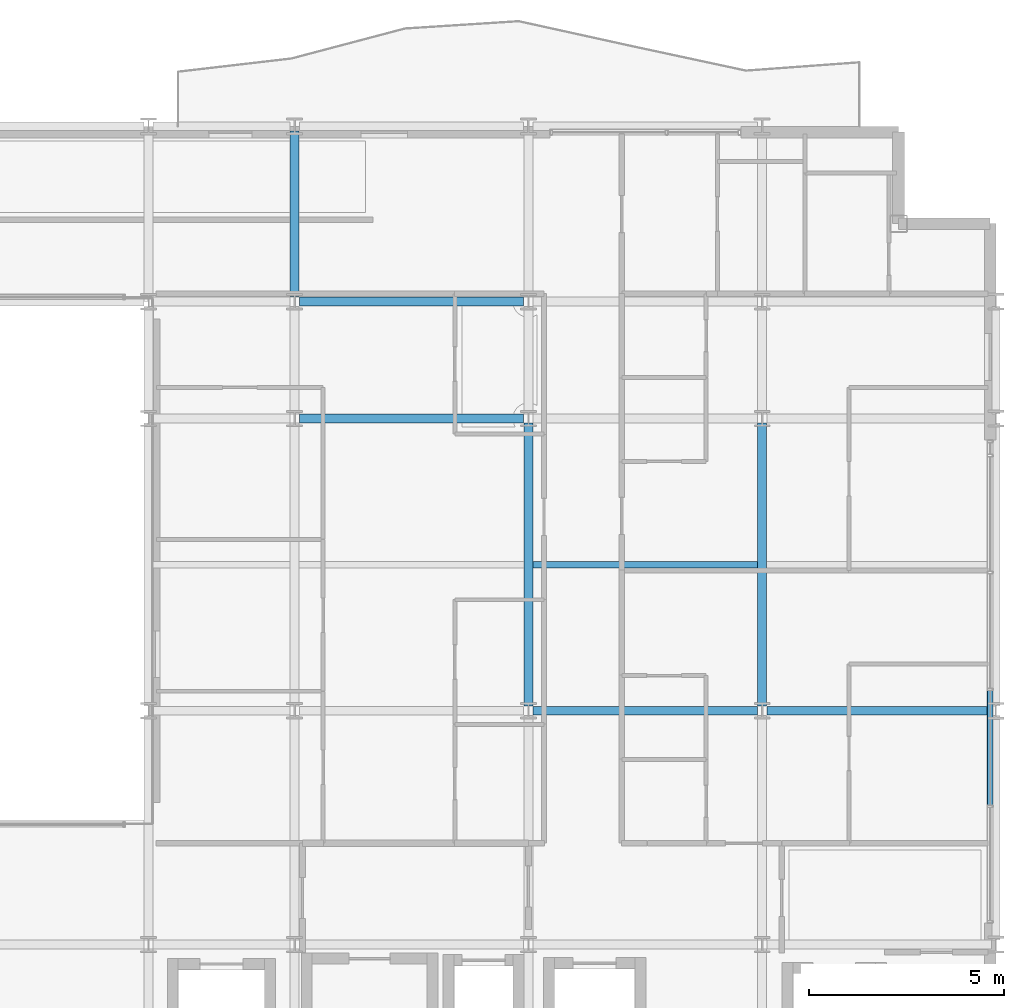
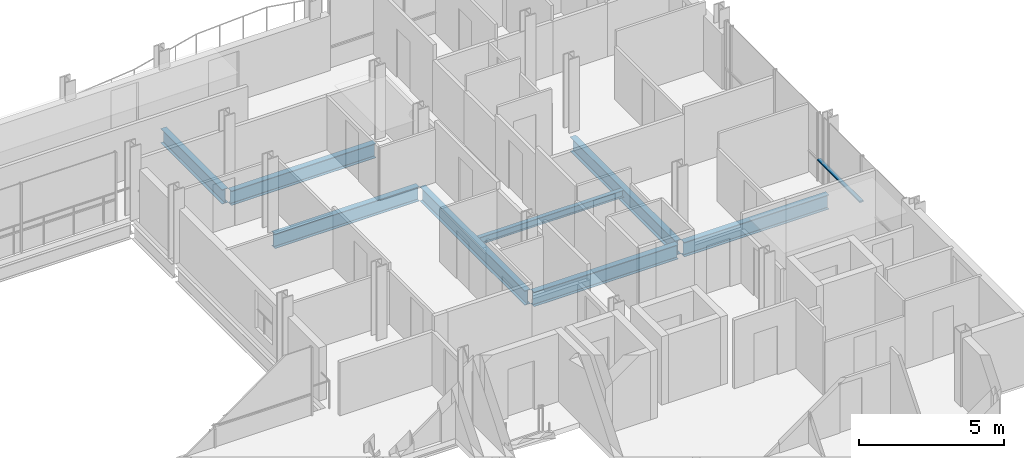
# One storey, part 18 of 41: 8 beams, 1 member, 1 element without a shape of its own.
"""IFC4 building model written with IfcOpenShell, lengths in metres."""

from ifc_helpers import new_model, si_unit, direction, frame, origin, origin_2d, place, context, subcontext, project, spatial, hollow_rectangle, i_section, extrude, material, layer, layer_set, material_profile, profile_set, type_object, element, aggregate, save


model = new_model("IFC4")

# Units and contexts
model_context = context("Model", 3, precision=1e-05, world=origin(), true_north=direction((0.0, 1.0)))
body_context = subcontext(model_context, "Body", "Model", "MODEL_VIEW")
ifc_project = project(units=[si_unit("LENGTHUNIT", "METRE"), si_unit("AREAUNIT", "SQUARE_METRE"), si_unit("VOLUMEUNIT", "CUBIC_METRE"), si_unit("PLANEANGLEUNIT", "RADIAN"), si_unit("MASSUNIT", "GRAM", prefix="KILO")], contexts=[model_context])

# Site, building, storey
site_placement = place(None, origin())
site = spatial("IfcSite", under=ifc_project, at=site_placement, CompositionType="ELEMENT")
building_placement = place(site_placement, origin())
building = spatial("IfcBuilding", under=site, at=building_placement, Name="Brevholm Reach", CompositionType="ELEMENT")
storey_placement = place(building_placement, frame((0.0, 0.0, 112.800048828125)))
storey = spatial("IfcBuildingStorey", under=building, at=storey_placement, Name="L33", CompositionType="ELEMENT", Elevation=112.800048828125)

# Beams
ifc_material_1 = material(Name="Structural Steel S355J2", Category="steel")
ifc_material_profile_1 = material_profile(ifc_material_1, i_section(OverallWidth=0.1650390625, OverallDepth=0.303466796875, WebThickness=0.006103515625, FlangeThickness=0.01025390625, FilletRadius=0.0087890625, at=origin_2d()), Name="UKB 305x165x40")
ifc_profile_set_1 = profile_set([ifc_material_profile_1], Name="Structural Steel S355J2")
beam_type_1 = type_object("IfcBeamType", Name="BM-B305", PredefinedType="BEAM", material=ifc_profile_set_1)
beam_1_placement = place(storey_placement, frame((48.114501953125, 19.75, -0.371826171875), z_axis=(1.0, 0.0, 0.0), x_axis=(0.0, 1.0, 0.0)))
element("IfcBeam", 1, at=beam_1_placement, inside=storey, type_object=beam_type_1, Name="L33 Composite Secondary Floor Beam", PredefinedType="BEAM", context=body_context, shape_type="SweptSolid", body=[
    extrude(i_section(OverallWidth=0.1650390625, OverallDepth=0.303466796875, WebThickness=0.006103515625, FlangeThickness=0.01025390625, FilletRadius=0.0087890625, at=origin_2d()), origin(), (0.0, 0.0, 1.0), 5.77099609375),
])
ifc_material_2 = material(Name="Structural Steel S355J2", Category="steel")
ifc_material_profile_2 = material_profile(ifc_material_2, i_section(OverallWidth=0.22900390625, OverallDepth=0.6123046875, WebThickness=0.011962890625, FlangeThickness=0.01953125, FilletRadius=0.0126953125, at=origin_2d()), Name="UKB 610x229x125")
ifc_profile_set_2 = profile_set([ifc_material_profile_2], Name="Structural Steel S355J2")
beam_type_2 = type_object("IfcBeamType", Name="BM-SP610", PredefinedType="SPANDREL", material=ifc_profile_set_2)
for number, where, z_axis, x_axis, name in (
    (2, (48.1201171875, 16.0, -0.526123046875), (1.0, 0.0, 0.0), (0.0, 1.0, 0.0), "L33 SP-01 Framing Beam"),
    (3, (54.1201171875, 16.0, -0.526123046875), (1.0, 0.0, 0.0), (0.0, 1.0, 0.0), "L33 SP-01 Framing Beam"),
    (4, (42.1201171875, 23.5, -0.526123046875), (1.0, 0.0, 0.0), (0.0, 1.0, 0.0), "L33 SP-01 Framing Beam"),
    (5, (42.1201171875, 26.5, -0.526123046875), (1.0, 0.0, 0.0), (0.0, 1.0, 0.0), "L33 SP-01 Framing Beam"),
):
    element("IfcBeam", number, at=place(storey_placement, frame(where, z_axis=z_axis, x_axis=x_axis)), inside=storey, type_object=beam_type_2, Name=name, PredefinedType="SPANDREL", context=body_context, shape_type="SweptSolid", body=[
        extrude(i_section(OverallWidth=0.22900390625, OverallDepth=0.6123046875, WebThickness=0.011962890625, FlangeThickness=0.01953125, FilletRadius=0.0126953125, at=origin_2d()), origin(), (0.0, 0.0, 1.0), 5.759765625),
    ])
beam_2_placement = place(storey_placement, frame((42.0, 26.6201171875, -0.526123046875), z_axis=(0.0, 1.0, 0.0), x_axis=(-1.0, 0.0, 0.0)))
element("IfcBeam", 6, at=beam_2_placement, inside=storey, type_object=beam_type_2, Name="L33 SP-01 Framing Beam", PredefinedType="SPANDREL", context=body_context, shape_type="SweptSolid", body=[
    extrude(i_section(OverallWidth=0.22900390625, OverallDepth=0.6123046875, WebThickness=0.011962890625, FlangeThickness=0.01953125, FilletRadius=0.0126953125, at=origin_2d()), origin(), (0.0, 0.0, 1.0), 4.259765625),
])
for number, where, z_axis, x_axis, name in (
    (7, (48.0, 16.1201171875, -0.526123046875), (0.0, 1.0, 0.0), (-1.0, 0.0, 0.0), "L33 SP-01 Framing Beam"),
    (8, (54.0, 16.1201171875, -0.526123046875), (0.0, 1.0, 0.0), (-1.0, 0.0, 0.0), "L33 SP-01 Framing Beam"),
):
    element("IfcBeam", number, at=place(storey_placement, frame(where, z_axis=z_axis, x_axis=x_axis)), inside=storey, type_object=beam_type_2, Name=name, PredefinedType="SPANDREL", context=body_context, shape_type="SweptSolid", body=[
        extrude(i_section(OverallWidth=0.22900390625, OverallDepth=0.6123046875, WebThickness=0.011962890625, FlangeThickness=0.01953125, FilletRadius=0.0126953125, at=origin_2d()), origin(), (0.0, 0.0, 1.0), 7.259765625),
    ])

# Curtain wall, member
ifc_material_3 = material(Name="Dark Anodised Aluminium 6063-T6 and Solar-Control Glass", Category="aluminium")
ifc_layer = layer(ifc_material_3, 0.14990234375)
ifc_layer_set = layer_set([ifc_layer], Name="Dark Anodised Aluminium 6063-T6 and Solar-Control Glass")
curtain_wall_type = type_object("IfcCurtainWallType", Name="CW-01", PredefinedType="NOTDEFINED", material=ifc_layer_set)
curtain_wall_placement = place(storey_placement, origin())
curtain_wall = element("IfcCurtainWall", 9, at=curtain_wall_placement, inside=storey, type_object=curtain_wall_type, Name="L33 Curtain Wall CW-01", PredefinedType="NOTDEFINED")
ifc_material_4 = material(Name="Dark Anodised Aluminium 6063-T6", Category="aluminium")
ifc_material_profile_3 = material_profile(ifc_material_4, hollow_rectangle(XDim=0.06494140625, YDim=0.14990234375, WallThickness=0.0048828125, InnerFilletRadius=0.0048828125, OuterFilletRadius=0.010009765625, at=origin_2d()), Name="RHS 150x65x5")
ifc_profile_set_3 = profile_set([ifc_material_profile_3], Name="Dark Anodised Aluminium 6063-T6")
member_type = type_object("IfcMemberType", Name="CWT-150", PredefinedType="NOTDEFINED", material=ifc_profile_set_3)
member_placement = place(storey_placement, frame((59.85009765625, 13.58251953125, 0.89990234375), z_axis=(0.0, 1.0, 0.0), x_axis=(0.0, 0.0, 1.0)))
member = element("IfcMember", 10, at=member_placement, type_object=member_type, Name="CT-150 Transom 2.1", ObjectType="TRANSOM", PredefinedType="USERDEFINED", context=body_context, shape_type="SweptSolid", body=[
    extrude(hollow_rectangle(XDim=0.06494140625, YDim=0.14990234375, WallThickness=0.0048828125, InnerFilletRadius=0.0048828125, OuterFilletRadius=0.010009765625, at=origin_2d()), origin(), (0.0, 0.0, 1.0), 2.93505859375),
])
aggregate(curtain_wall, [member])

save(model, "model.ifc")
